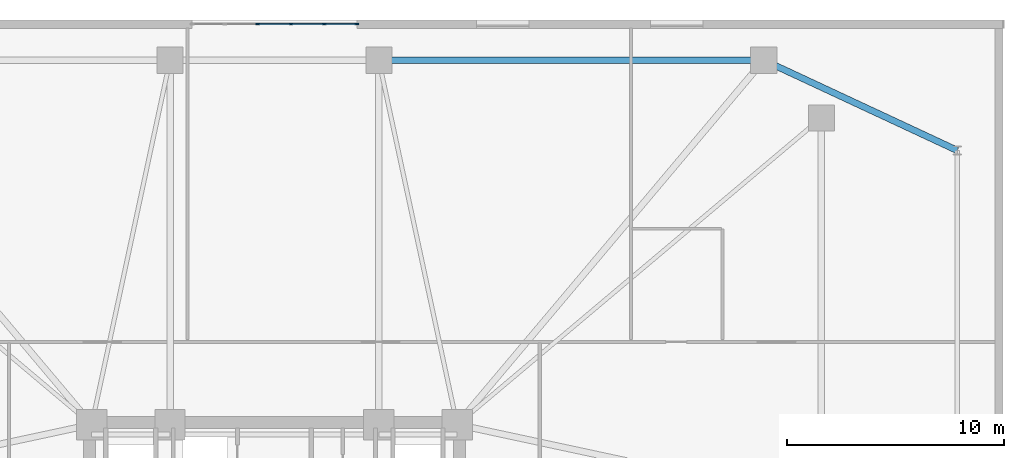
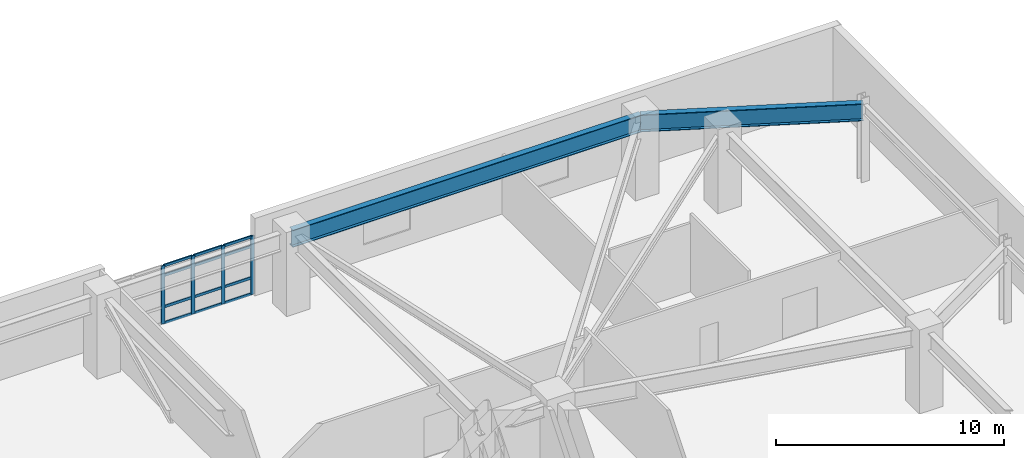
# One storey, part 9 of 21: 16 members, 2 beams, 1 element without a shape of its own.
"""IFC4 building model written with IfcOpenShell, lengths in metres."""

from ifc_helpers import new_model, si_unit, direction, frame, origin, origin_2d, place, context, subcontext, project, spatial, rectangle, i_section, extrude, material, layer, layer_set, material_profile, profile_set, type_object, element, aggregate, save


model = new_model("IFC4")

# Units and contexts
model_context = context("Model", 3, precision=1e-05, world=origin(), true_north=direction((0.0, 1.0)))
body_context = subcontext(model_context, "Body", "Model", "MODEL_VIEW")
ifc_project = project(units=[si_unit("LENGTHUNIT", "METRE"), si_unit("AREAUNIT", "SQUARE_METRE"), si_unit("VOLUMEUNIT", "CUBIC_METRE"), si_unit("PLANEANGLEUNIT", "RADIAN"), si_unit("MASSUNIT", "GRAM", prefix="KILO")], contexts=[model_context])

# Site, building, storey
site_placement = place(None, origin())
site = spatial("IfcSite", under=ifc_project, at=site_placement, CompositionType="ELEMENT")
building_placement = place(site_placement, origin())
building = spatial("IfcBuilding", under=site, at=building_placement, Name="Cairnveth Concourse Tower", CompositionType="ELEMENT")
storey_placement = place(building_placement, frame((0.0, 0.0, 14.5)))
storey = spatial("IfcBuildingStorey", under=building, at=storey_placement, Name="L03", CompositionType="ELEMENT", Elevation=14.5)

# Curtain wall, members
ifc_material_1 = material(Name="Architectural Bronze Anodised Aluminium 6063-T6", Category="aluminium")
ifc_layer = layer(ifc_material_1, 0.340087890625)
ifc_layer_set = layer_set([ifc_layer], Name="Architectural Bronze Anodised Aluminium 6063-T6")
curtain_wall_type = type_object("IfcCurtainWallType", Name="BALLROOM FOYER UNITISED CURTAIN WALL", PredefinedType="USERDEFINED", material=ifc_layer_set)
curtain_wall_placement = place(storey_placement, origin())
curtain_wall = element("IfcCurtainWall", 1, at=curtain_wall_placement, inside=storey, type_object=curtain_wall_type, Name="Curtain Wall CW-L03-N1", ObjectType="UNITISED FACADE", PredefinedType="USERDEFINED")
ifc_material_profile_1 = material_profile(ifc_material_1, rectangle(XDim=0.06494140625, YDim=0.179931640625, at=origin_2d()), Name="AL-MUL-65x180")
ifc_profile_set_1 = profile_set([ifc_material_profile_1], Name="Architectural Bronze Anodised Aluminium 6063-T6")
member_type_1 = type_object("IfcMemberType", Name="BRONZE CURTAIN WALL MULLION AL-MUL-65x180", PredefinedType="MULLION", material=ifc_profile_set_1)
member_1_placement = place(storey_placement, frame((51.237060546875, 65.81005859375, 0.0), z_axis=(0.0, 0.0, 1.0), x_axis=(0.0, 1.0, 0.0)))
member_1 = element("IfcMember", 2, at=member_1_placement, type_object=member_type_1, Name="CWS3 mullion 3", PredefinedType="MULLION", context=body_context, shape_type="SweptSolid", body=[
    extrude(rectangle(XDim=0.06494140625, YDim=0.179931640625, at=origin_2d()), origin(), (0.0, 0.0, 1.0), 3.1259765625),
])
member_2_placement = place(storey_placement, frame((52.762939453125, 65.81005859375, 0.0), z_axis=(0.0, 0.0, 1.0), x_axis=(0.0, 1.0, 0.0)))
member_2 = element("IfcMember", 3, at=member_2_placement, type_object=member_type_1, Name="CWS3 mullion 4", PredefinedType="MULLION", context=body_context, shape_type="SweptSolid", body=[
    extrude(rectangle(XDim=0.06494140625, YDim=0.179931640625, at=origin_2d()), origin(), (0.0, 0.0, 1.0), 3.1259765625),
])
member_3_placement = place(storey_placement, frame((54.2890625, 65.81005859375, 0.0), z_axis=(0.0, 0.0, 1.0), x_axis=(0.0, 1.0, 0.0)))
member_3 = element("IfcMember", 4, at=member_3_placement, type_object=member_type_1, Name="CWS3 mullion 5", PredefinedType="MULLION", context=body_context, shape_type="SweptSolid", body=[
    extrude(rectangle(XDim=0.06494140625, YDim=0.179931640625, at=origin_2d()), origin(), (0.0, 0.0, 1.0), 3.1259765625),
])
member_4_placement = place(storey_placement, frame((55.782470703125, 65.81005859375, 0.0), z_axis=(0.0, 0.0, 1.0), x_axis=(0.0, 1.0, 0.0)))
member_4 = element("IfcMember", 5, at=member_4_placement, type_object=member_type_1, Name="CWS3 mullion 6", PredefinedType="MULLION", context=body_context, shape_type="SweptSolid", body=[
    extrude(rectangle(XDim=0.06494140625, YDim=0.179931640625, at=origin_2d()), origin(), (0.0, 0.0, 1.0), 3.1259765625),
])
ifc_material_profile_2 = material_profile(ifc_material_1, rectangle(XDim=0.06494140625, YDim=0.139892578125, at=origin_2d()), Name="AL-TRN-65x140")
ifc_profile_set_2 = profile_set([ifc_material_profile_2], Name="Architectural Bronze Anodised Aluminium 6063-T6")
member_type_2 = type_object("IfcMemberType", Name="BRONZE CURTAIN WALL TRANSOM AL-TRN-65x140", PredefinedType="USERDEFINED", material=ifc_profile_set_2)
member_5_placement = place(storey_placement, frame((51.26953125, 65.81005859375, 0.032470703125), z_axis=(1.0, 0.0, 0.0), x_axis=(0.0, 1.0, 0.0)))
member_5 = element("IfcMember", 6, at=member_5_placement, type_object=member_type_2, Name="CWS3 transom 3.1", ObjectType="TRANSOM", PredefinedType="USERDEFINED", context=body_context, shape_type="SweptSolid", body=[
    extrude(rectangle(XDim=0.06494140625, YDim=0.139892578125, at=origin_2d()), origin(), (0.0, 0.0, 1.0), 1.4609375),
])
member_6_placement = place(storey_placement, frame((51.26953125, 65.81005859375, 0.89990234375), z_axis=(1.0, 0.0, 0.0), x_axis=(0.0, 1.0, 0.0)))
member_6 = element("IfcMember", 7, at=member_6_placement, type_object=member_type_2, Name="CWS3 transom 3.2", ObjectType="TRANSOM", PredefinedType="USERDEFINED", context=body_context, shape_type="SweptSolid", body=[
    extrude(rectangle(XDim=0.06494140625, YDim=0.139892578125, at=origin_2d()), origin(), (0.0, 0.0, 1.0), 1.4609375),
])
member_7_placement = place(storey_placement, frame((51.26953125, 65.81005859375, 2.575927734375), z_axis=(1.0, 0.0, 0.0), x_axis=(0.0, 1.0, 0.0)))
member_7 = element("IfcMember", 8, at=member_7_placement, type_object=member_type_2, Name="CWS3 transom 3.3", ObjectType="TRANSOM", PredefinedType="USERDEFINED", context=body_context, shape_type="SweptSolid", body=[
    extrude(rectangle(XDim=0.06494140625, YDim=0.139892578125, at=origin_2d()), origin(), (0.0, 0.0, 1.0), 1.4609375),
])
member_8_placement = place(storey_placement, frame((51.26953125, 65.81005859375, 3.093505859375), z_axis=(1.0, 0.0, 0.0), x_axis=(0.0, 1.0, 0.0)))
member_8 = element("IfcMember", 9, at=member_8_placement, type_object=member_type_2, Name="CWS3 transom 3.4", ObjectType="TRANSOM", PredefinedType="USERDEFINED", context=body_context, shape_type="SweptSolid", body=[
    extrude(rectangle(XDim=0.06494140625, YDim=0.139892578125, at=origin_2d()), origin(), (0.0, 0.0, 1.0), 1.4609375),
])
member_9_placement = place(storey_placement, frame((52.79541015625, 65.81005859375, 0.032470703125), z_axis=(1.0, 0.0, 0.0), x_axis=(0.0, 1.0, 0.0)))
member_9 = element("IfcMember", 10, at=member_9_placement, type_object=member_type_2, Name="CWS3 transom 4.1", ObjectType="TRANSOM", PredefinedType="USERDEFINED", context=body_context, shape_type="SweptSolid", body=[
    extrude(rectangle(XDim=0.06494140625, YDim=0.139892578125, at=origin_2d()), origin(), (0.0, 0.0, 1.0), 1.461181640625),
])
member_10_placement = place(storey_placement, frame((52.79541015625, 65.81005859375, 0.89990234375), z_axis=(1.0, 0.0, 0.0), x_axis=(0.0, 1.0, 0.0)))
member_10 = element("IfcMember", 11, at=member_10_placement, type_object=member_type_2, Name="CWS3 transom 4.2", ObjectType="TRANSOM", PredefinedType="USERDEFINED", context=body_context, shape_type="SweptSolid", body=[
    extrude(rectangle(XDim=0.06494140625, YDim=0.139892578125, at=origin_2d()), origin(), (0.0, 0.0, 1.0), 1.461181640625),
])
member_11_placement = place(storey_placement, frame((52.79541015625, 65.81005859375, 2.575927734375), z_axis=(1.0, 0.0, 0.0), x_axis=(0.0, 1.0, 0.0)))
member_11 = element("IfcMember", 12, at=member_11_placement, type_object=member_type_2, Name="CWS3 transom 4.3", ObjectType="TRANSOM", PredefinedType="USERDEFINED", context=body_context, shape_type="SweptSolid", body=[
    extrude(rectangle(XDim=0.06494140625, YDim=0.139892578125, at=origin_2d()), origin(), (0.0, 0.0, 1.0), 1.461181640625),
])
member_12_placement = place(storey_placement, frame((52.79541015625, 65.81005859375, 3.093505859375), z_axis=(1.0, 0.0, 0.0), x_axis=(0.0, 1.0, 0.0)))
member_12 = element("IfcMember", 13, at=member_12_placement, type_object=member_type_2, Name="CWS3 transom 4.4", ObjectType="TRANSOM", PredefinedType="USERDEFINED", context=body_context, shape_type="SweptSolid", body=[
    extrude(rectangle(XDim=0.06494140625, YDim=0.139892578125, at=origin_2d()), origin(), (0.0, 0.0, 1.0), 1.461181640625),
])
member_13_placement = place(storey_placement, frame((54.321533203125, 65.81005859375, 0.032470703125), z_axis=(1.0, 0.0, 0.0), x_axis=(0.0, 1.0, 0.0)))
member_13 = element("IfcMember", 14, at=member_13_placement, type_object=member_type_2, Name="CWS3 transom 5.1", ObjectType="TRANSOM", PredefinedType="USERDEFINED", context=body_context, shape_type="SweptSolid", body=[
    extrude(rectangle(XDim=0.06494140625, YDim=0.139892578125, at=origin_2d()), origin(), (0.0, 0.0, 1.0), 1.428466796875),
])
member_14_placement = place(storey_placement, frame((54.321533203125, 65.81005859375, 0.89990234375), z_axis=(1.0, 0.0, 0.0), x_axis=(0.0, 1.0, 0.0)))
member_14 = element("IfcMember", 15, at=member_14_placement, type_object=member_type_2, Name="CWS3 transom 5.2", ObjectType="TRANSOM", PredefinedType="USERDEFINED", context=body_context, shape_type="SweptSolid", body=[
    extrude(rectangle(XDim=0.06494140625, YDim=0.139892578125, at=origin_2d()), origin(), (0.0, 0.0, 1.0), 1.428466796875),
])
member_15_placement = place(storey_placement, frame((54.321533203125, 65.81005859375, 2.575927734375), z_axis=(1.0, 0.0, 0.0), x_axis=(0.0, 1.0, 0.0)))
member_15 = element("IfcMember", 16, at=member_15_placement, type_object=member_type_2, Name="CWS3 transom 5.3", ObjectType="TRANSOM", PredefinedType="USERDEFINED", context=body_context, shape_type="SweptSolid", body=[
    extrude(rectangle(XDim=0.06494140625, YDim=0.139892578125, at=origin_2d()), origin(), (0.0, 0.0, 1.0), 1.428466796875),
])
member_16_placement = place(storey_placement, frame((54.321533203125, 65.81005859375, 3.093505859375), z_axis=(1.0, 0.0, 0.0), x_axis=(0.0, 1.0, 0.0)))
member_16 = element("IfcMember", 17, at=member_16_placement, type_object=member_type_2, Name="CWS3 transom 5.4", ObjectType="TRANSOM", PredefinedType="USERDEFINED", context=body_context, shape_type="SweptSolid", body=[
    extrude(rectangle(XDim=0.06494140625, YDim=0.139892578125, at=origin_2d()), origin(), (0.0, 0.0, 1.0), 1.428466796875),
])
aggregate(curtain_wall, [member_1, member_2, member_3, member_4, member_5, member_6, member_7, member_8, member_9, member_10, member_11, member_12, member_13, member_14, member_15, member_16])

# Beams
ifc_material_2 = material(Name="Steel Grade 350", Category="steel")
ifc_material_profile_3 = material_profile(ifc_material_2, i_section(OverallWidth=0.300048828125, OverallDepth=0.924072265625, WebThickness=0.013916015625, FlangeThickness=0.031982421875, at=origin_2d()), Name="900WB257")
ifc_profile_set_3 = profile_set([ifc_material_profile_3], Name="Steel Grade 350")
beam_type = type_object("IfcBeamType", Name="PODIUM PRIMARY GIRDER 900WB257", PredefinedType="BEAM", material=ifc_profile_set_3)
beam_1_placement = place(storey_placement, frame((74.5, 64.14990234375, 3.68798828125), z_axis=(0.906315208572, -0.422602345842, 0.0), x_axis=(0.422602345842, 0.906315208572, 0.0)))
element("IfcBeam", 18, at=beam_1_placement, inside=storey, type_object=beam_type, Name="Beam PG-E-N L03", PredefinedType="BEAM", context=body_context, shape_type="SweptSolid", body=[
    extrude(i_section(OverallWidth=0.300048828125, OverallDepth=0.924072265625, WebThickness=0.013916015625, FlangeThickness=0.031982421875, at=origin_2d()), origin(), (0.0, 0.0, 1.0), 9.81982421875),
])
beam_2_placement = place(storey_placement, frame((56.800048828125, 64.14990234375, 3.68798828125), z_axis=(1.0, 0.0, 0.0), x_axis=(0.0, 1.0, 0.0)))
element("IfcBeam", 19, at=beam_2_placement, inside=storey, type_object=beam_type, Name="Beam PR-N3 L03", PredefinedType="BEAM", context=body_context, shape_type="SweptSolid", body=[
    extrude(i_section(OverallWidth=0.300048828125, OverallDepth=0.924072265625, WebThickness=0.013916015625, FlangeThickness=0.031982421875, at=origin_2d()), origin(), (0.0, 0.0, 1.0), 17.699951171875),
])

save(model, "model.ifc")
